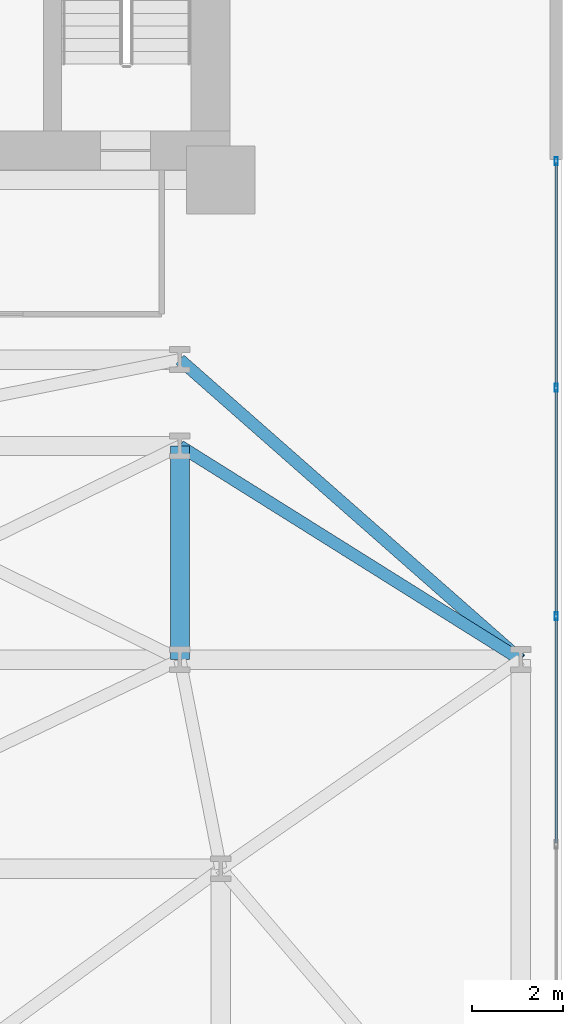
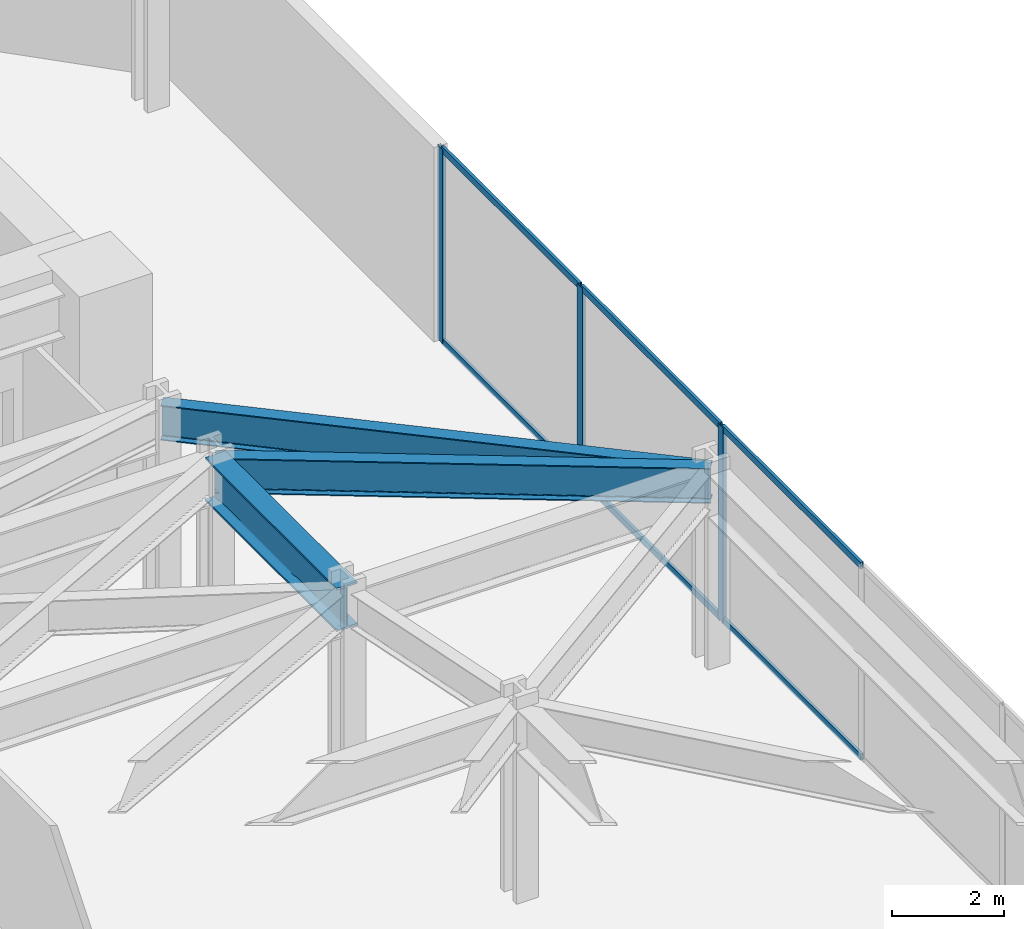
# One storey, part 23 of 28: 9 members, 3 beams, 1 element without a shape of its own.
"""IFC4 building model written with IfcOpenShell, lengths in metres."""

from ifc_helpers import new_model, si_unit, direction, frame, origin, origin_2d, place, context, subcontext, project, spatial, hollow_rectangle, i_section, extrude, material, layer, layer_set, material_profile, profile_set, type_object, element, aggregate, save


model = new_model("IFC4")

# Units and contexts
model_context = context("Model", 3, precision=1e-05, world=origin(), true_north=direction((0.0, 1.0)))
body_context = subcontext(model_context, "Body", "Model", "MODEL_VIEW")
ifc_project = project(units=[si_unit("LENGTHUNIT", "METRE"), si_unit("AREAUNIT", "SQUARE_METRE"), si_unit("VOLUMEUNIT", "CUBIC_METRE"), si_unit("PLANEANGLEUNIT", "RADIAN"), si_unit("MASSUNIT", "GRAM", prefix="KILO")], contexts=[model_context])

# Site, building, storey
site_placement = place(None, origin())
site = spatial("IfcSite", under=ifc_project, at=site_placement, CompositionType="ELEMENT")
building_placement = place(site_placement, origin())
building = spatial("IfcBuilding", under=site, at=building_placement, Name="Kravanh Interchange Tower", CompositionType="ELEMENT")
storey_placement = place(building_placement, frame((0.0, 0.0, 10.800048828125)))
storey = spatial("IfcBuildingStorey", under=building, at=storey_placement, Name="L02", CompositionType="ELEMENT", Elevation=10.800048828125)

# Curtain wall, members
ifc_material_1 = material(Name="Anodised Bronze Aluminium", Category="aluminium")
ifc_layer = layer(ifc_material_1, 0.179931640625)
ifc_layer_set = layer_set([ifc_layer], Name="Unitised Curtain Wall System CW-POD Podium Concourse")
curtain_wall_type = type_object("IfcCurtainWallType", Name="Unitised Curtain Wall System CW-POD Podium Concourse", PredefinedType="NOTDEFINED", material=ifc_layer_set)
curtain_wall_placement = place(storey_placement, origin())
curtain_wall = element("IfcCurtainWall", 1, at=curtain_wall_placement, inside=storey, type_object=curtain_wall_type, Name="L02 Unitised Curtain Wall CW-L02-02", PredefinedType="NOTDEFINED")
ifc_material_2 = material(Name="Anodised Bronze Aluminium", Category="aluminium")
ifc_material_profile_1 = material_profile(ifc_material_2, hollow_rectangle(XDim=0.070068359375, YDim=0.179931640625, WallThickness=0.00390625, at=origin_2d()), Name="ALU70X180X4")
ifc_profile_set_1 = profile_set([ifc_material_profile_1], Name="Anodised Bronze Aluminium")
member_type_1 = type_object("IfcMemberType", Name="Curtain Wall Mullion ALU70X180X4 Bronze", PredefinedType="MULLION", material=ifc_profile_set_1)
member_1_placement = place(storey_placement, frame((73.8798828125, 37.764892578125, 0.0), z_axis=(0.0, 0.0, 1.0), x_axis=(1.0, 0.0, 0.0)))
member_1 = element("IfcMember", 2, at=member_1_placement, type_object=member_type_1, Name="CW-POD mullion 1", PredefinedType="MULLION", context=body_context, shape_type="SweptSolid", body=[
    extrude(hollow_rectangle(XDim=0.070068359375, YDim=0.179931640625, WallThickness=0.00390625, at=origin_2d()), origin(), (0.0, 0.0, 1.0), 4.22998046875),
])
member_2_placement = place(storey_placement, frame((73.8798828125, 32.778564453125, 0.0), z_axis=(0.0, 0.0, 1.0), x_axis=(1.0, 0.0, 0.0)))
member_2 = element("IfcMember", 3, at=member_2_placement, type_object=member_type_1, Name="CW-POD mullion 2", PredefinedType="MULLION", context=body_context, shape_type="SweptSolid", body=[
    extrude(hollow_rectangle(XDim=0.070068359375, YDim=0.179931640625, WallThickness=0.00390625, at=origin_2d()), origin(), (0.0, 0.0, 1.0), 4.22998046875),
])
member_3_placement = place(storey_placement, frame((73.8798828125, 27.757080078125, 0.0), z_axis=(0.0, 0.0, 1.0), x_axis=(1.0, 0.0, 0.0)))
member_3 = element("IfcMember", 4, at=member_3_placement, type_object=member_type_1, Name="CW-POD mullion 3", PredefinedType="MULLION", context=body_context, shape_type="SweptSolid", body=[
    extrude(hollow_rectangle(XDim=0.070068359375, YDim=0.179931640625, WallThickness=0.00390625, at=origin_2d()), origin(), (0.0, 0.0, 1.0), 4.22998046875),
])
ifc_material_3 = material(Name="Anodised Bronze Aluminium", Category="aluminium")
ifc_material_profile_2 = material_profile(ifc_material_3, hollow_rectangle(XDim=0.06005859375, YDim=0.139892578125, WallThickness=0.00390625, at=origin_2d()), Name="ALU60X140X4")
ifc_profile_set_2 = profile_set([ifc_material_profile_2], Name="Anodised Bronze Aluminium")
member_type_2 = type_object("IfcMemberType", Name="Curtain Wall Transom ALU60X140X4 Bronze", PredefinedType="USERDEFINED", material=ifc_profile_set_2)
member_4_placement = place(storey_placement, frame((73.8798828125, 37.72998046875, 0.030029296875), z_axis=(0.0, -1.0, 0.0), x_axis=(1.0, 0.0, 0.0)))
member_4 = element("IfcMember", 5, at=member_4_placement, type_object=member_type_2, Name="CW-POD transom 1.1", ObjectType="TRANSOM", PredefinedType="USERDEFINED", context=body_context, shape_type="SweptSolid", body=[
    extrude(hollow_rectangle(XDim=0.06005859375, YDim=0.139892578125, WallThickness=0.00390625, at=origin_2d()), origin(), (0.0, 0.0, 1.0), 4.91650390625),
])
member_5_placement = place(storey_placement, frame((73.8798828125, 37.72998046875, 4.199951171875), z_axis=(0.0, -1.0, 0.0), x_axis=(1.0, 0.0, 0.0)))
member_5 = element("IfcMember", 6, at=member_5_placement, type_object=member_type_2, Name="CW-POD transom 1.2", ObjectType="TRANSOM", PredefinedType="USERDEFINED", context=body_context, shape_type="SweptSolid", body=[
    extrude(hollow_rectangle(XDim=0.06005859375, YDim=0.139892578125, WallThickness=0.00390625, at=origin_2d()), origin(), (0.0, 0.0, 1.0), 4.91650390625),
])
member_6_placement = place(storey_placement, frame((73.8798828125, 32.743408203125, 0.030029296875), z_axis=(0.0, -1.0, 0.0), x_axis=(1.0, 0.0, 0.0)))
member_6 = element("IfcMember", 7, at=member_6_placement, type_object=member_type_2, Name="CW-POD transom 2.1", ObjectType="TRANSOM", PredefinedType="USERDEFINED", context=body_context, shape_type="SweptSolid", body=[
    extrude(hollow_rectangle(XDim=0.06005859375, YDim=0.139892578125, WallThickness=0.00390625, at=origin_2d()), origin(), (0.0, 0.0, 1.0), 4.951416015625),
])
member_7_placement = place(storey_placement, frame((73.8798828125, 32.743408203125, 4.199951171875), z_axis=(0.0, -1.0, 0.0), x_axis=(1.0, 0.0, 0.0)))
member_7 = element("IfcMember", 8, at=member_7_placement, type_object=member_type_2, Name="CW-POD transom 2.2", ObjectType="TRANSOM", PredefinedType="USERDEFINED", context=body_context, shape_type="SweptSolid", body=[
    extrude(hollow_rectangle(XDim=0.06005859375, YDim=0.139892578125, WallThickness=0.00390625, at=origin_2d()), origin(), (0.0, 0.0, 1.0), 4.951416015625),
])
member_8_placement = place(storey_placement, frame((73.8798828125, 27.72216796875, 0.030029296875), z_axis=(0.0, -1.0, 0.0), x_axis=(1.0, 0.0, 0.0)))
member_8 = element("IfcMember", 9, at=member_8_placement, type_object=member_type_2, Name="CW-POD transom 3.1", ObjectType="TRANSOM", PredefinedType="USERDEFINED", context=body_context, shape_type="SweptSolid", body=[
    extrude(hollow_rectangle(XDim=0.06005859375, YDim=0.139892578125, WallThickness=0.00390625, at=origin_2d()), origin(), (0.0, 0.0, 1.0), 4.95166015625),
])
member_9_placement = place(storey_placement, frame((73.8798828125, 27.72216796875, 4.199951171875), z_axis=(0.0, -1.0, 0.0), x_axis=(1.0, 0.0, 0.0)))
member_9 = element("IfcMember", 10, at=member_9_placement, type_object=member_type_2, Name="CW-POD transom 3.2", ObjectType="TRANSOM", PredefinedType="USERDEFINED", context=body_context, shape_type="SweptSolid", body=[
    extrude(hollow_rectangle(XDim=0.06005859375, YDim=0.139892578125, WallThickness=0.00390625, at=origin_2d()), origin(), (0.0, 0.0, 1.0), 4.95166015625),
])
aggregate(curtain_wall, [member_1, member_2, member_3, member_4, member_5, member_6, member_7, member_8, member_9])

# Beams
ifc_material_4 = material(Name="Structural Steel S450", Category="steel")
ifc_material_profile_3 = material_profile(ifc_material_4, i_section(OverallWidth=0.423095703125, OverallDepth=0.947998046875, WebThickness=0.02392578125, FlangeThickness=0.042724609375, FilletRadius=0.028076171875, at=origin_2d()), Name="W36X302")
ifc_profile_set_3 = profile_set([ifc_material_profile_3], Name="Structural Steel S450")
beam_type_1 = type_object("IfcBeamType", Name="Floor Beam W36X302 Structural Steel S450", PredefinedType="BEAM", material=ifc_profile_set_3)
beam_1_placement = place(storey_placement, frame((65.60009765625, 26.800048828125, 3.755859375), z_axis=(0.0, 1.0, 0.0), x_axis=(-1.0, 0.0, 0.0)))
element("IfcBeam", 11, at=beam_1_placement, inside=storey, type_object=beam_type_1, Name="L02 Primary Floor Girder 101", PredefinedType="BEAM", context=body_context, shape_type="SweptSolid", body=[
    extrude(i_section(OverallWidth=0.423095703125, OverallDepth=0.947998046875, WebThickness=0.02392578125, FlangeThickness=0.042724609375, FilletRadius=0.028076171875, at=origin_2d()), origin(), (0.0, 0.0, 1.0), 4.699951171875),
])
ifc_material_5 = material(Name="Structural Steel S355", Category="steel")
ifc_material_profile_4 = material_profile(ifc_material_5, i_section(OverallWidth=0.26708984375, OverallDepth=0.761962890625, WebThickness=0.014404296875, FlangeThickness=0.021484375, FilletRadius=0.02490234375, at=origin_2d()), Name="W30X116")
ifc_profile_set_4 = profile_set([ifc_material_profile_4], Name="Structural Steel S355")
beam_type_2 = type_object("IfcBeamType", Name="Floor Spandrel W30X116 Structural Steel S355", PredefinedType="SPANDREL", material=ifc_profile_set_4)
beam_2_placement = place(storey_placement, frame((65.60009765625, 31.5, 3.848876953125), z_axis=(0.847365449363, -0.531010164899, 0.0), x_axis=(0.531010164899, 0.847365449363, 0.0)))
element("IfcBeam", 12, at=beam_2_placement, inside=storey, type_object=beam_type_2, Name="L02 Perimeter Spandrel 121", PredefinedType="SPANDREL", context=body_context, shape_type="SweptSolid", body=[
    extrude(i_section(OverallWidth=0.26708984375, OverallDepth=0.761962890625, WebThickness=0.014404296875, FlangeThickness=0.021484375, FilletRadius=0.02490234375, at=origin_2d()), origin(), (0.0, 0.0, 1.0), 8.85107421875),
])
beam_3_placement = place(storey_placement, frame((73.10009765625, 26.800048828125, 3.848876953125), z_axis=(-0.750720788639, 0.660619631487, 0.0), x_axis=(-0.660619631487, -0.750720788639, 0.0)))
element("IfcBeam", 13, at=beam_3_placement, inside=storey, type_object=beam_type_2, Name="L02 Perimeter Spandrel 129", PredefinedType="SPANDREL", context=body_context, shape_type="SweptSolid", body=[
    extrude(i_section(OverallWidth=0.26708984375, OverallDepth=0.761962890625, WebThickness=0.014404296875, FlangeThickness=0.021484375, FilletRadius=0.02490234375, at=origin_2d()), origin(), (0.0, 0.0, 1.0), 9.990478515625),
])

save(model, "model.ifc")
